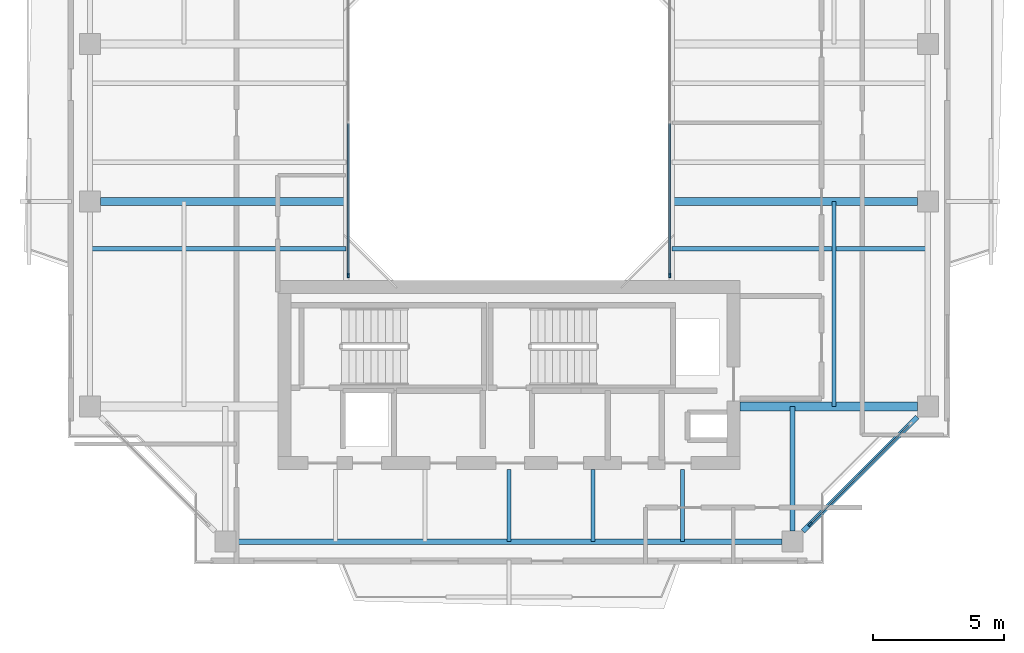
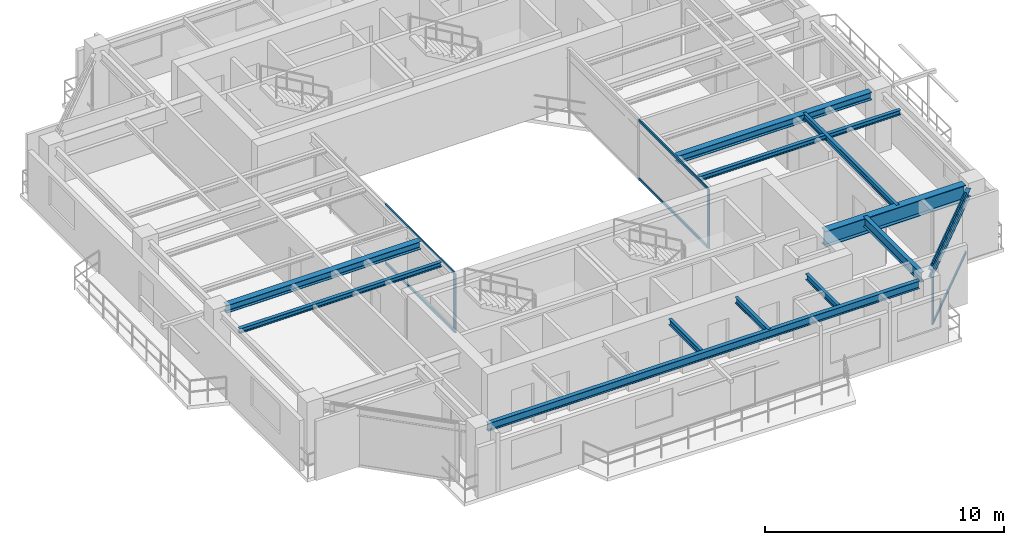
# One storey, part 4 of 16: 12 beams, 9 members, 3 elements without a shape of their own.
"""IFC4 building model written with IfcOpenShell, lengths in metres."""

from ifc_helpers import new_model, si_unit, direction, frame, origin, origin_2d, place, context, subcontext, project, spatial, rectangle, i_section, extrude, source, transform, mapped, material, layer, layer_set, material_profile, profile_set, type_object, element, aggregate, save


model = new_model("IFC4")

# Units and contexts
model_context = context("Model", 3, precision=1e-05, world=origin(), true_north=direction((0.0, 1.0)))
body_context = subcontext(model_context, "Body", "Model", "MODEL_VIEW")
ifc_project = project(units=[si_unit("LENGTHUNIT", "METRE"), si_unit("AREAUNIT", "SQUARE_METRE"), si_unit("VOLUMEUNIT", "CUBIC_METRE"), si_unit("PLANEANGLEUNIT", "RADIAN"), si_unit("MASSUNIT", "GRAM", prefix="KILO"), si_unit("THERMODYNAMICTEMPERATUREUNIT", "KELVIN"), si_unit("POWERUNIT", "WATT")], contexts=[model_context])

# Site, building, storey
site_placement = place(None, origin())
site = spatial("IfcSite", under=ifc_project, at=site_placement, CompositionType="ELEMENT")
building_placement = place(site_placement, origin())
building = spatial("IfcBuilding", under=site, at=building_placement, Name="Qiaomeng Ring Towers", CompositionType="ELEMENT")
storey_placement = place(building_placement, frame((0.0, 0.0, 229.5)))
storey = spatial("IfcBuildingStorey", under=building, at=storey_placement, Name="L67", CompositionType="ELEMENT", Elevation=229.5)

# Beams
ifc_material_1 = material(Name="Steel Q355B", Category="steel")
ifc_material_profile_1 = material_profile(ifc_material_1, i_section(OverallWidth=0.198974609375, OverallDepth=0.39599609375, WebThickness=0.007080078125, FlangeThickness=0.010986328125, FilletRadius=0.01611328125, at=origin_2d()), Name="HN 396x199x7x11")
ifc_profile_set_1 = profile_set([ifc_material_profile_1], Name="Steel Q355B")
beam_type_1 = type_object("IfcBeamType", Name="STR-BM-HN396", PredefinedType="SPANDREL", material=ifc_profile_set_1)
shared_shape_1 = source(origin(), body_context, "Body", "SweptSolid", [
    extrude(i_section(OverallWidth=0.198974609375, OverallDepth=0.39599609375, WebThickness=0.007080078125, FlangeThickness=0.010986328125, FilletRadius=0.01611328125, at=origin_2d()), origin(), (0.0, 0.0, 1.0), 20.8017578125),
])
beam_1_placement = place(storey_placement, frame((8.59912109375, 7.050048828125, 2.83203125), z_axis=(1.0, 0.0, 0.0), x_axis=(0.0, 1.0, 0.0)))
element("IfcBeam", 1, at=beam_1_placement, inside=storey, type_object=beam_type_1, Name="L67 beam STR-SP-L67-T1-S1-S2", PredefinedType="SPANDREL", context=body_context, shape_type="MappedRepresentation", body=[
    mapped(shared_shape_1, transform((0.0, 0.0, 0.0), x_axis=(1.0, 0.0, 0.0), y_axis=(0.0, 1.0, 0.0), z_axis=(0.0, 0.0, 1.0), scale=1.0)),
])
shared_shape_2 = source(origin(), body_context, "Body", "SweptSolid", [
    extrude(i_section(OverallWidth=0.198974609375, OverallDepth=0.39599609375, WebThickness=0.007080078125, FlangeThickness=0.010986328125, FilletRadius=0.01611328125, at=origin_2d()), origin(), (0.0, 0.0, 1.0), 6.154052734375),
])
beam_2_placement = place(storey_placement, frame((30.19921875, 7.44921875, 2.83203125), z_axis=(0.707106781187, 0.707106781187, 0.0), x_axis=(-0.707106781187, 0.707106781187, 0.0)))
element("IfcBeam", 2, at=beam_2_placement, inside=storey, type_object=beam_type_1, Name="L67 beam STR-SP-L67-T1-S2-E1", PredefinedType="SPANDREL", context=body_context, shape_type="MappedRepresentation", body=[
    mapped(shared_shape_2, transform((0.0, 0.0, 0.0), x_axis=(1.0, 0.0, 0.0), y_axis=(0.0, 1.0, 0.0), z_axis=(0.0, 0.0, 1.0), scale=1.0)),
])
ifc_material_2 = material(Name="Steel Q390GJC", Category="steel")
ifc_material_profile_2 = material_profile(ifc_material_2, i_section(OverallWidth=0.35009765625, OverallDepth=0.800048828125, WebThickness=0.01611328125, FlangeThickness=0.028076171875, at=origin_2d()), Name="WH 800x350x16x28")
ifc_profile_set_2 = profile_set([ifc_material_profile_2], Name="Steel Q390GJC")
beam_type_2 = type_object("IfcBeamType", Name="STR-BM-WH800", PredefinedType="BEAM", material=ifc_profile_set_2)
shared_shape_3 = source(origin(), body_context, "Body", "SweptSolid", [
    extrude(i_section(OverallWidth=0.35009765625, OverallDepth=0.800048828125, WebThickness=0.01611328125, FlangeThickness=0.028076171875, at=origin_2d()), origin(), (0.0, 0.0, 1.0), 6.7509765625),
])
beam_3_placement = place(storey_placement, frame((27.800048828125, 12.199951171875, 2.6298828125), z_axis=(1.0, 0.0, 0.0), x_axis=(0.0, 1.0, 0.0)))
element("IfcBeam", 3, at=beam_3_placement, inside=storey, type_object=beam_type_2, Name="L67 beam STR-BM-L67-T1-RAD-E1", PredefinedType="BEAM", context=body_context, shape_type="MappedRepresentation", body=[
    mapped(shared_shape_3, transform((0.0, 0.0, 0.0), x_axis=(1.0, 0.0, 0.0), y_axis=(0.0, 1.0, 0.0), z_axis=(0.0, 0.0, 1.0), scale=1.0)),
])
ifc_material_profile_3 = material_profile(ifc_material_1, i_section(OverallWidth=0.300048828125, OverallDepth=0.389892578125, WebThickness=0.010009765625, FlangeThickness=0.01611328125, FilletRadius=0.02197265625, at=origin_2d()), Name="HM 390x300x10x16")
ifc_profile_set_3 = profile_set([ifc_material_profile_3], Name="Steel Q355B")
beam_type_3 = type_object("IfcBeamType", Name="STR-BM-HM390", PredefinedType="BEAM", material=ifc_profile_set_3)
shared_shape_4 = source(origin(), body_context, "Body", "SweptSolid", [
    extrude(i_section(OverallWidth=0.300048828125, OverallDepth=0.389892578125, WebThickness=0.010009765625, FlangeThickness=0.01611328125, FilletRadius=0.02197265625, at=origin_2d()), origin(), (0.0, 0.0, 1.0), 9.35107421875),
])
for number, where, z_axis, x_axis, name in (
    (4, (3.448974609375, 20.0, 2.8349609375), (1.0, 0.0, 0.0), (0.0, 1.0, 0.0), "L67 beam STR-BM-L67-T1-RAD-W2"),
    (5, (25.199951171875, 20.0, 2.8349609375), (1.0, 0.0, 0.0), (0.0, 1.0, 0.0), "L67 beam STR-BM-L67-T1-RAD-E2"),
):
    element("IfcBeam", number, at=place(storey_placement, frame(where, z_axis=z_axis, x_axis=x_axis)), inside=storey, type_object=beam_type_3, Name=name, PredefinedType="BEAM", context=body_context, shape_type="MappedRepresentation", body=[
        mapped(shared_shape_4, transform((0.0, 0.0, 0.0), x_axis=(1.0, 0.0, 0.0), y_axis=(0.0, 1.0, 0.0), z_axis=(0.0, 0.0, 1.0), scale=1.0)),
    ])
ifc_material_profile_4 = material_profile(ifc_material_1, i_section(OverallWidth=0.14990234375, OverallDepth=0.300048828125, WebThickness=0.006591796875, FlangeThickness=0.009033203125, FilletRadius=0.012939453125, at=origin_2d()), Name="HN 300x150x6.5x9")
ifc_profile_set_4 = profile_set([ifc_material_profile_4], Name="Steel Q355B")
beam_type_4 = type_object("IfcBeamType", Name="STR-BM-HN300", PredefinedType="JOIST", material=ifc_profile_set_4)
shared_shape_5 = source(origin(), body_context, "Body", "SweptSolid", [
    extrude(i_section(OverallWidth=0.14990234375, OverallDepth=0.300048828125, WebThickness=0.006591796875, FlangeThickness=0.009033203125, FilletRadius=0.012939453125, at=origin_2d()), origin(), (0.0, 0.0, 1.0), 2.75),
])
for number, where, z_axis, x_axis, name in (
    (6, (19.0, 7.050048828125, 2.8798828125), (0.0, 1.0, 0.0), (-1.0, 0.0, 0.0), "L67 beam STR-JST-L67-T1S-3"),
    (7, (22.199951171875, 7.050048828125, 2.8798828125), (0.0, 1.0, 0.0), (-1.0, 0.0, 0.0), "L67 beam STR-JST-L67-T1S-4"),
    (8, (25.60009765625, 7.050048828125, 2.8798828125), (0.0, 1.0, 0.0), (-1.0, 0.0, 0.0), "L67 beam STR-JST-L67-T1S-5"),
):
    element("IfcBeam", number, at=place(storey_placement, frame(where, z_axis=z_axis, x_axis=x_axis)), inside=storey, type_object=beam_type_4, Name=name, PredefinedType="JOIST", context=body_context, shape_type="MappedRepresentation", body=[
        mapped(shared_shape_5, transform((0.0, 0.0, 0.0), x_axis=(1.0, 0.0, 0.0), y_axis=(0.0, 1.0, 0.0), z_axis=(0.0, 0.0, 1.0), scale=1.0)),
    ])
ifc_material_profile_5 = material_profile(ifc_material_1, i_section(OverallWidth=0.175048828125, OverallDepth=0.243896484375, WebThickness=0.007080078125, FlangeThickness=0.010986328125, FilletRadius=0.01611328125, at=origin_2d()), Name="HM 244x175x7x11")
ifc_profile_set_5 = profile_set([ifc_material_profile_5], Name="Steel Q355B")
beam_type_5 = type_object("IfcBeamType", Name="STR-BM-HM244", PredefinedType="JOIST", material=ifc_profile_set_5)
shared_shape_6 = source(origin(), body_context, "Body", "SweptSolid", [
    extrude(i_section(OverallWidth=0.175048828125, OverallDepth=0.243896484375, WebThickness=0.007080078125, FlangeThickness=0.010986328125, FilletRadius=0.01611328125, at=origin_2d()), origin(), (0.0, 0.0, 1.0), 9.75),
])
for number, where, z_axis, x_axis, name in (
    (9, (3.050048828125, 18.199951171875, 2.907958984375), (1.0, 0.0, 0.0), (0.0, 1.0, 0.0), "L67 beam STR-JST-L67-T1W-1"),
    (10, (25.199951171875, 18.199951171875, 2.907958984375), (1.0, 0.0, 0.0), (0.0, 1.0, 0.0), "L67 beam STR-JST-L67-T1E-1"),
):
    element("IfcBeam", number, at=place(storey_placement, frame(where, z_axis=z_axis, x_axis=x_axis)), inside=storey, type_object=beam_type_5, Name=name, PredefinedType="JOIST", context=body_context, shape_type="MappedRepresentation", body=[
        mapped(shared_shape_6, transform((0.0, 0.0, 0.0), x_axis=(1.0, 0.0, 0.0), y_axis=(0.0, 1.0, 0.0), z_axis=(0.0, 0.0, 1.0), scale=1.0)),
    ])
shared_shape_7 = source(origin(), body_context, "Body", "SweptSolid", [
    extrude(i_section(OverallWidth=0.14990234375, OverallDepth=0.300048828125, WebThickness=0.006591796875, FlangeThickness=0.009033203125, FilletRadius=0.012939453125, at=origin_2d()), origin(), (0.0, 0.0, 1.0), 7.800048828125),
])
beam_4_placement = place(storey_placement, frame((31.375, 12.199951171875, 2.8798828125), z_axis=(0.0, 1.0, 0.0), x_axis=(-1.0, 0.0, 0.0)))
element("IfcBeam", 11, at=beam_4_placement, inside=storey, type_object=beam_type_4, Name="L67 beam STR-JST-L67-T1C-ES", PredefinedType="JOIST", context=body_context, shape_type="MappedRepresentation", body=[
    mapped(shared_shape_7, transform((0.0, 0.0, 0.0), x_axis=(1.0, 0.0, 0.0), y_axis=(0.0, 1.0, 0.0), z_axis=(0.0, 0.0, 1.0), scale=1.0)),
])
ifc_material_profile_6 = material_profile(ifc_material_1, i_section(OverallWidth=0.198974609375, OverallDepth=0.49609375, WebThickness=0.009033203125, FlangeThickness=0.013916015625, FilletRadius=0.01806640625, at=origin_2d()), Name="HN 496x199x9x14")
ifc_profile_set_6 = profile_set([ifc_material_profile_6], Name="Steel Q355B")
beam_type_6 = type_object("IfcBeamType", Name="STR-BM-HN496", PredefinedType="BEAM", material=ifc_profile_set_6)
shared_shape_8 = source(origin(), body_context, "Body", "SweptSolid", [
    extrude(i_section(OverallWidth=0.198974609375, OverallDepth=0.49609375, WebThickness=0.009033203125, FlangeThickness=0.013916015625, FilletRadius=0.01806640625, at=origin_2d()), origin(), (0.0, 0.0, 1.0), 4.7509765625),
])
beam_5_placement = place(storey_placement, frame((29.800048828125, 7.448974609375, 2.781982421875), z_axis=(0.0, 1.0, 0.0), x_axis=(-1.0, 0.0, 0.0)))
element("IfcBeam", 12, at=beam_5_placement, inside=storey, type_object=beam_type_6, Name="L67 beam STR-BM-L67-T1-RAD-S2", PredefinedType="BEAM", context=body_context, shape_type="MappedRepresentation", body=[
    mapped(shared_shape_8, transform((0.0, 0.0, 0.0), x_axis=(1.0, 0.0, 0.0), y_axis=(0.0, 1.0, 0.0), z_axis=(0.0, 0.0, 1.0), scale=1.0)),
])

# Curtain wall, members
ifc_material_3 = material(Name="Fluorocarbon dark-grey aluminium", Category="aluminium")
ifc_layer_1 = layer(ifc_material_3, 0.139892578125, Name="Fluorocarbon dark-grey aluminium")
ifc_layer_set_1 = layer_set([ifc_layer_1], Name="Fluorocarbon dark-grey aluminium")
curtain_wall_type_1 = type_object("IfcCurtainWallType", Name="ARC-CW-4", PredefinedType="NOTDEFINED", material=ifc_layer_set_1)
curtain_wall_1_placement = place(storey_placement, origin())
curtain_wall_1 = element("IfcCurtainWall", 13, at=curtain_wall_1_placement, inside=storey, type_object=curtain_wall_type_1, Name="L67 Curtain Wall CW4", PredefinedType="NOTDEFINED")
ifc_material_profile_7 = material_profile(ifc_material_3, rectangle(XDim=0.06494140625, YDim=0.1298828125, at=origin_2d()), Name="ALU TRAN 65x130")
ifc_profile_set_7 = profile_set([ifc_material_profile_7], Name="Fluorocarbon dark-grey aluminium")
member_type_1 = type_object("IfcMemberType", Name="ARC-CWT-120", PredefinedType="USERDEFINED", material=ifc_profile_set_7)
shared_shape_9 = source(origin(), body_context, "Body", "SweptSolid", [
    extrude(rectangle(XDim=0.06494140625, YDim=0.1298828125, at=origin_2d()), origin(), (0.0, 0.0, 1.0), 5.75244140625),
])
member_1_placement = place(storey_placement, frame((12.8798828125, 17.215087890625, 0.032470703125), z_axis=(0.0, 1.0, 0.0), x_axis=(-1.0, 0.0, 0.0)))
member_1 = element("IfcMember", 14, at=member_1_placement, type_object=member_type_1, Name="CW4 transom 1.1", ObjectType="TRANSOM", PredefinedType="USERDEFINED", context=body_context, shape_type="MappedRepresentation", body=[
    mapped(shared_shape_9, transform((0.0, 0.0, 0.0), x_axis=(1.0, 0.0, 0.0), y_axis=(0.0, 1.0, 0.0), z_axis=(0.0, 0.0, 1.0), scale=1.0)),
])
member_2_placement = place(storey_placement, frame((12.8798828125, 17.215087890625, 2.99755859375), z_axis=(0.0, 1.0, 0.0), x_axis=(-1.0, 0.0, 0.0)))
member_2 = element("IfcMember", 15, at=member_2_placement, type_object=member_type_1, Name="CW4 transom 1.2", ObjectType="TRANSOM", PredefinedType="USERDEFINED", context=body_context, shape_type="MappedRepresentation", body=[
    mapped(shared_shape_9, transform((0.0, 0.0, 0.0), x_axis=(1.0, 0.0, 0.0), y_axis=(0.0, 1.0, 0.0), z_axis=(0.0, 0.0, 1.0), scale=1.0)),
])

curtain_wall_2_placement = place(storey_placement, origin())
curtain_wall_2 = element("IfcCurtainWall", 16, at=curtain_wall_2_placement, inside=storey, type_object=curtain_wall_type_1, Name="L67 Curtain Wall CW4", PredefinedType="NOTDEFINED")
member_3_placement = place(storey_placement, frame((25.1201171875, 17.215087890625, 0.032470703125), z_axis=(0.0, 1.0, 0.0), x_axis=(-1.0, 0.0, 0.0)))
member_3 = element("IfcMember", 17, at=member_3_placement, type_object=member_type_1, Name="CW4 transom 1.1", ObjectType="TRANSOM", PredefinedType="USERDEFINED", context=body_context, shape_type="MappedRepresentation", body=[
    mapped(shared_shape_9, transform((0.0, 0.0, 0.0), x_axis=(1.0, 0.0, 0.0), y_axis=(0.0, 1.0, 0.0), z_axis=(0.0, 0.0, 1.0), scale=1.0)),
])
member_4_placement = place(storey_placement, frame((25.1201171875, 17.215087890625, 2.99755859375), z_axis=(0.0, 1.0, 0.0), x_axis=(-1.0, 0.0, 0.0)))
member_4 = element("IfcMember", 18, at=member_4_placement, type_object=member_type_1, Name="CW4 transom 1.2", ObjectType="TRANSOM", PredefinedType="USERDEFINED", context=body_context, shape_type="MappedRepresentation", body=[
    mapped(shared_shape_9, transform((0.0, 0.0, 0.0), x_axis=(1.0, 0.0, 0.0), y_axis=(0.0, 1.0, 0.0), z_axis=(0.0, 0.0, 1.0), scale=1.0)),
])

# Member
ifc_material_profile_8 = material_profile(ifc_material_3, rectangle(XDim=0.06494140625, YDim=0.159912109375, at=origin_2d()), Name="ALU MULL 65x160")
ifc_profile_set_8 = profile_set([ifc_material_profile_8], Name="Fluorocarbon dark-grey aluminium")
member_type_2 = type_object("IfcMemberType", Name="ARC-CWM-140", PredefinedType="MULLION", material=ifc_profile_set_8)
shared_shape_10 = source(origin(), body_context, "Body", "SweptSolid", [
    extrude(rectangle(XDim=0.06494140625, YDim=0.159912109375, at=origin_2d()), origin(), (0.0, 0.0, 1.0), 3.030029296875),
])
member_5_placement = place(storey_placement, frame((12.8798828125, 17.1826171875, 0.0), z_axis=(0.0, 0.0, 1.0), x_axis=(-1.0, 0.0, 0.0)))
member_5 = element("IfcMember", 19, at=member_5_placement, type_object=member_type_2, Name="CW4 mullion 1", PredefinedType="MULLION", context=body_context, shape_type="MappedRepresentation", body=[
    mapped(shared_shape_10, transform((0.0, 0.0, 0.0), x_axis=(1.0, 0.0, 0.0), y_axis=(0.0, 1.0, 0.0), z_axis=(0.0, 0.0, 1.0), scale=1.0)),
])

aggregate(curtain_wall_1, [member_5, member_1, member_2])

member_6_placement = place(storey_placement, frame((25.1201171875, 17.1826171875, 0.0), z_axis=(0.0, 0.0, 1.0), x_axis=(-1.0, 0.0, 0.0)))
member_6 = element("IfcMember", 20, at=member_6_placement, type_object=member_type_2, Name="CW4 mullion 1", PredefinedType="MULLION", context=body_context, shape_type="MappedRepresentation", body=[
    mapped(shared_shape_10, transform((0.0, 0.0, 0.0), x_axis=(1.0, 0.0, 0.0), y_axis=(0.0, 1.0, 0.0), z_axis=(0.0, 0.0, 1.0), scale=1.0)),
])

aggregate(curtain_wall_2, [member_6, member_3, member_4])

# Curtain wall, members
ifc_layer_2 = layer(ifc_material_3, 0.14990234375, Name="Fluorocarbon dark-grey aluminium")
ifc_layer_set_2 = layer_set([ifc_layer_2], Name="Fluorocarbon dark-grey aluminium")
curtain_wall_type_2 = type_object("IfcCurtainWallType", Name="ARC-CW-3", PredefinedType="NOTDEFINED", material=ifc_layer_set_2)
curtain_wall_3_placement = place(storey_placement, origin())
curtain_wall_3 = element("IfcCurtainWall", 21, at=curtain_wall_3_placement, inside=storey, type_object=curtain_wall_type_2, Name="L67 Curtain Wall CW3", PredefinedType="NOTDEFINED")
ifc_material_profile_9 = material_profile(ifc_material_3, rectangle(XDim=0.070068359375, YDim=0.179931640625, at=origin_2d()), Name="ALU MULL 70x180")
ifc_profile_set_9 = profile_set([ifc_material_profile_9], Name="Fluorocarbon dark-grey aluminium")
member_type_3 = type_object("IfcMemberType", Name="ARC-CWM-160", PredefinedType="MULLION", material=ifc_profile_set_9)
shared_shape_11 = source(origin(), body_context, "Body", "SweptSolid", [
    extrude(rectangle(XDim=0.070068359375, YDim=0.179931640625, at=origin_2d()), origin(), (0.0, 0.0, 1.0), 3.030029296875),
])
member_7_placement = place(storey_placement, frame((30.46484375, 7.71484375, 0.0), z_axis=(0.0, 0.0, 1.0), x_axis=(-0.707106781187, 0.707106781187, 0.0)))
member_7 = element("IfcMember", 22, at=member_7_placement, type_object=member_type_3, Name="CW3 mullion 1", PredefinedType="MULLION", context=body_context, shape_type="MappedRepresentation", body=[
    mapped(shared_shape_11, transform((0.0, 0.0, 0.0), x_axis=(1.0, 0.0, 0.0), y_axis=(0.0, 1.0, 0.0), z_axis=(0.0, 0.0, 1.0), scale=1.0)),
])
shared_shape_12 = source(origin(), body_context, "Body", "SweptSolid", [
    extrude(rectangle(XDim=0.06494140625, YDim=0.1298828125, at=origin_2d()), origin(), (0.0, 0.0, 1.0), 5.3330078125),
])
member_8_placement = place(storey_placement, frame((30.489501953125, 7.739501953125, 0.032470703125), z_axis=(0.707106781187, 0.707106781187, 0.0), x_axis=(-0.707106781187, 0.707106781187, 0.0)))
member_8 = element("IfcMember", 23, at=member_8_placement, type_object=member_type_1, Name="CW3 transom 1.1", ObjectType="TRANSOM", PredefinedType="USERDEFINED", context=body_context, shape_type="MappedRepresentation", body=[
    mapped(shared_shape_12, transform((0.0, 0.0, 0.0), x_axis=(1.0, 0.0, 0.0), y_axis=(0.0, 1.0, 0.0), z_axis=(0.0, 0.0, 1.0), scale=1.0)),
])
member_9_placement = place(storey_placement, frame((30.489501953125, 7.739501953125, 2.99755859375), z_axis=(0.707106781187, 0.707106781187, 0.0), x_axis=(-0.707106781187, 0.707106781187, 0.0)))
member_9 = element("IfcMember", 24, at=member_9_placement, type_object=member_type_1, Name="CW3 transom 1.2", ObjectType="TRANSOM", PredefinedType="USERDEFINED", context=body_context, shape_type="MappedRepresentation", body=[
    mapped(shared_shape_12, transform((0.0, 0.0, 0.0), x_axis=(1.0, 0.0, 0.0), y_axis=(0.0, 1.0, 0.0), z_axis=(0.0, 0.0, 1.0), scale=1.0)),
])
aggregate(curtain_wall_3, [member_7, member_8, member_9])

save(model, "model.ifc")
